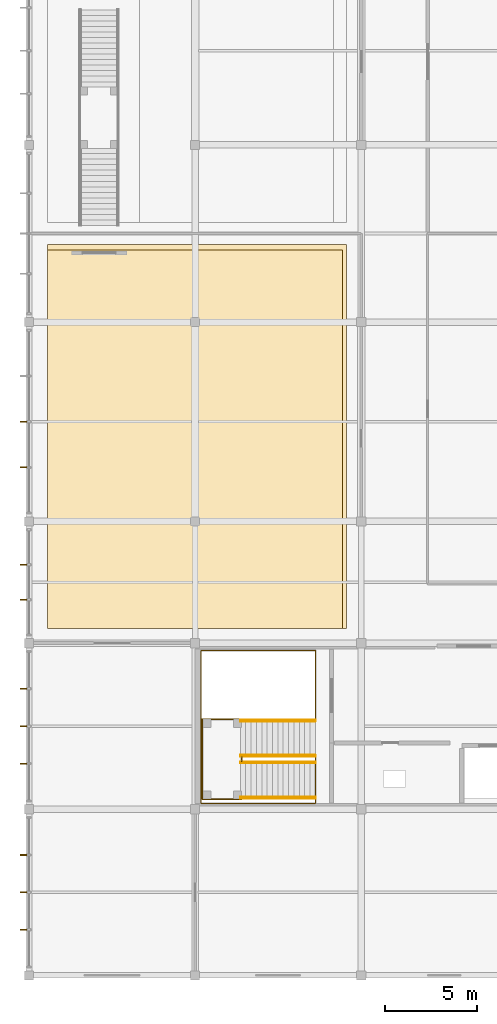
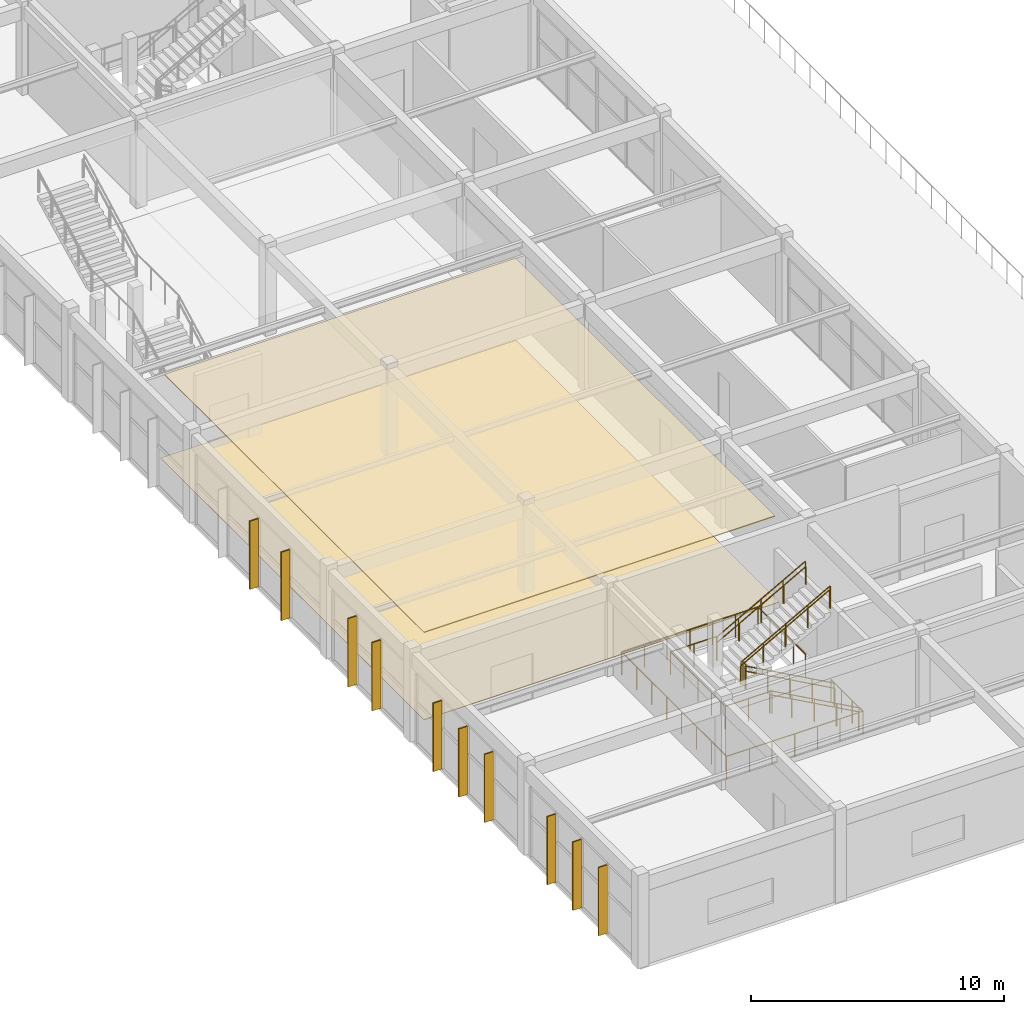
# One storey, part 18 of 22: 11 railings, 10 shading devices, 2 coverings.
"""IFC4 building model written with IfcOpenShell, lengths in metres."""

from ifc_helpers import new_model, si_unit, direction, frame, origin, origin_2d, place, context, subcontext, project, spatial, polyline, rectangle, circle, outline, extrude, material, layer, layer_set, type_object, element, save


model = new_model("IFC4")

# Units and contexts
model_context = context("Model", 3, precision=1e-05, world=origin(), true_north=direction((0.0, 1.0)))
body_context = subcontext(model_context, "Body", "Model", "MODEL_VIEW")
ifc_project = project(units=[si_unit("LENGTHUNIT", "METRE"), si_unit("AREAUNIT", "SQUARE_METRE"), si_unit("VOLUMEUNIT", "CUBIC_METRE"), si_unit("PLANEANGLEUNIT", "RADIAN"), si_unit("MASSUNIT", "GRAM", prefix="KILO")], contexts=[model_context])

# Site, building, storey
site_placement = place(None, origin())
site = spatial("IfcSite", under=ifc_project, at=site_placement, CompositionType="ELEMENT")
building_placement = place(site_placement, origin())
building = spatial("IfcBuilding", under=site, at=building_placement, Name="Suirenkawa Promenade Aquatics Centre", CompositionType="ELEMENT")
storey_placement = place(building_placement, frame((0.0, 0.0, 14.10009765625)))
storey = spatial("IfcBuildingStorey", under=building, at=storey_placement, Name="L03", CompositionType="ELEMENT", Elevation=14.10009765625)

# Coverings
ifc_material_1 = material(Name="Anodised aluminium 6063-T6", Category="aluminium")
ifc_layer_1 = layer(ifc_material_1, 0.044921875, Name="Anodised aluminium 6063-T6", Category="aluminium")
ifc_layer_set_1 = layer_set([ifc_layer_1], Name="Anodised aluminium 6063-T6")
covering_type_1 = type_object("IfcCoveringType", Name="CVT-BAFFLE-CEIL", PredefinedType="CEILING", material=ifc_layer_set_1)
covering_1_placement = place(storey_placement, frame((0.0, 0.0, 4.204833984375)))
element("IfcCovering", 1, at=covering_1_placement, inside=storey, type_object=covering_type_1, Name="Acoustic baffle ceiling CLG-01 CLG-008", PredefinedType="CEILING", context=body_context, shape_type="SweptSolid", body=[
    extrude(outline(polyline([(1.0, 23.0), (17.0, 23.0), (17.0, 43.5), (1.0, 43.5), (1.0, 23.0)])), origin(), (0.0, 0.0, 1.0), 0.045166015625),
])
ifc_material_2 = material(Name="Engineered maple acoustic sports timber", Category="wood")
ifc_layer_2 = layer(ifc_material_2, 0.030029296875, Name="Engineered maple acoustic sports timber", Category="wood")
ifc_layer_set_2 = layer_set([ifc_layer_2], Name="Engineered maple acoustic sports timber")
covering_type_2 = type_object("IfcCoveringType", Name="CVT-SPORTS-MAPLE", PredefinedType="FLOORING", material=ifc_layer_set_2)
covering_2_placement = place(storey_placement, origin())
element("IfcCovering", 2, at=covering_2_placement, inside=storey, type_object=covering_type_2, Name="Floor finish FLR-02 FLR-010", PredefinedType="FLOORING", context=body_context, shape_type="SweptSolid", body=[
    extrude(outline(polyline([(1.0, 23.0), (17.199951171875, 23.0), (17.199951171875, 43.800048828125), (1.0, 43.800048828125), (1.0, 23.0)])), origin(), (0.0, 0.0, 1.0), 0.02978515625),
])

# Railings
ifc_material_3 = material(Name="Marine-grade stainless steel Grade 316L", Category="steel")
railing_type_1 = type_object("IfcRailingType", Name="RLT-GUARD-1120", PredefinedType="GUARDRAIL", material=ifc_material_3)
for number, where, name in (
    (3, (15.514892578125, 15.760009765625, 0.0), "Guardrail GRD-01 RL-0041"),
    (4, (15.514892578125, 13.800048828125, 0.0), "Guardrail GRD-01 RL-0043"),
):
    element("IfcRailing", number, at=place(storey_placement, frame(where)), inside=storey, type_object=railing_type_1, Name=name, PredefinedType="GUARDRAIL", context=body_context, shape_type="SweptSolid", body=[
        extrude(circle(Radius=0.02392578125, at=origin_2d()), frame((0.0, 0.0, 1.09619140625), z_axis=(-0.874655505744, 0.0, 0.484745032229), x_axis=(0.0, -1.0, 0.0)), (0.0, 0.0, 1.0), 4.6416015625),
        extrude(circle(Radius=0.02099609375, at=origin_2d()), origin(), (0.0, 0.0, 1.0), 1.072021484375),
        extrude(circle(Radius=0.02099609375, at=origin_2d()), frame((-1.014892578125, 0.0, 0.5625)), (0.0, 0.0, 1.0), 1.072021484375),
        extrude(circle(Radius=0.02099609375, at=origin_2d()), frame((-2.02978515625, 0.0, 1.125)), (0.0, 0.0, 1.0), 1.072021484375),
        extrude(circle(Radius=0.02099609375, at=origin_2d()), frame((-3.044921875, 0.0, 1.6875)), (0.0, 0.0, 1.0), 1.072021484375),
        extrude(circle(Radius=0.02099609375, at=origin_2d()), frame((-4.059814453125, 0.0, 2.25)), (0.0, 0.0, 1.0), 1.072021484375),
    ])
for number, where, name in (
    (5, (11.455078125, 16.070068359375, 2.25), "Guardrail GRD-01 RL-0045"),
    (6, (11.455078125, 18.030029296875, 2.25), "Guardrail GRD-01 RL-0047"),
):
    element("IfcRailing", number, at=place(storey_placement, frame(where)), inside=storey, type_object=railing_type_1, Name=name, PredefinedType="GUARDRAIL", context=body_context, shape_type="SweptSolid", body=[
        extrude(circle(Radius=0.02392578125, at=origin_2d()), frame((0.0, 0.0, 1.09619140625), z_axis=(0.874655505744, 0.0, 0.484745032229), x_axis=(0.0, 1.0, 0.0)), (0.0, 0.0, 1.0), 4.6416015625),
        extrude(circle(Radius=0.02099609375, at=origin_2d()), origin(), (0.0, 0.0, 1.0), 1.072021484375),
        extrude(circle(Radius=0.02099609375, at=origin_2d()), frame((1.014892578125, 0.0, 0.5625)), (0.0, 0.0, 1.0), 1.072021484375),
        extrude(circle(Radius=0.02099609375, at=origin_2d()), frame((2.02978515625, 0.0, 1.125)), (0.0, 0.0, 1.0), 1.072021484375),
        extrude(circle(Radius=0.02099609375, at=origin_2d()), frame((3.044921875, 0.0, 1.6875)), (0.0, 0.0, 1.0), 1.072021484375),
        extrude(circle(Radius=0.02099609375, at=origin_2d()), frame((4.059814453125, 0.0, 2.25)), (0.0, 0.0, 1.0), 1.072021484375),
    ])
railing_1_placement = place(storey_placement, frame((11.52001953125, 13.75, 2.25)))
element("IfcRailing", 7, at=railing_1_placement, inside=storey, type_object=railing_type_1, Name="Guardrail GRD-01 RL-0049", PredefinedType="GUARDRAIL", context=body_context, shape_type="SweptSolid", body=[
    extrude(circle(Radius=0.02392578125, at=origin_2d()), frame((0.0, 0.0, 1.09619140625), z_axis=(-1.0, 0.0, 0.0), x_axis=(0.0, -1.0, 0.0)), (0.0, 0.0, 1.0), 2.130126953125),
    extrude(circle(Radius=0.02392578125, at=origin_2d()), frame((-2.130126953125, 0.0, 1.09619140625), z_axis=(0.0, 1.0, 0.0), x_axis=(-1.0, 0.0, 0.0)), (0.0, 0.0, 1.0), 4.330078125),
    extrude(circle(Radius=0.02392578125, at=origin_2d()), frame((-2.130126953125, 4.330078125, 1.09619140625), z_axis=(1.0, 0.0, 0.0), x_axis=(0.0, 1.0, 0.0)), (0.0, 0.0, 1.0), 2.130126953125),
    extrude(circle(Radius=0.02099609375, at=origin_2d()), origin(), (0.0, 0.0, 1.0), 1.072021484375),
    extrude(circle(Radius=0.02099609375, at=origin_2d()), frame((-1.06494140625, 0.0, 0.0)), (0.0, 0.0, 1.0), 1.072021484375),
    extrude(circle(Radius=0.02099609375, at=origin_2d()), frame((-2.130126953125, 0.0, 0.0)), (0.0, 0.0, 1.0), 1.072021484375),
    extrude(circle(Radius=0.02099609375, at=origin_2d()), frame((-2.130126953125, 1.08251953125, 0.0)), (0.0, 0.0, 1.0), 1.072021484375),
    extrude(circle(Radius=0.02099609375, at=origin_2d()), frame((-2.130126953125, 2.1650390625, 0.0)), (0.0, 0.0, 1.0), 1.072021484375),
    extrude(circle(Radius=0.02099609375, at=origin_2d()), frame((-2.130126953125, 3.24755859375, 0.0)), (0.0, 0.0, 1.0), 1.072021484375),
    extrude(circle(Radius=0.02099609375, at=origin_2d()), frame((-2.130126953125, 4.330078125, 0.0)), (0.0, 0.0, 1.0), 1.072021484375),
    extrude(circle(Radius=0.02099609375, at=origin_2d()), frame((-1.06494140625, 4.330078125, 0.0)), (0.0, 0.0, 1.0), 1.072021484375),
    extrude(circle(Radius=0.02099609375, at=origin_2d()), frame((0.0, 4.330078125, 0.0)), (0.0, 0.0, 1.0), 1.072021484375),
])
railing_2_placement = place(storey_placement, frame((11.52001953125, 15.7900390625, 2.25)))
element("IfcRailing", 8, at=railing_2_placement, inside=storey, type_object=railing_type_1, Name="Guardrail GRD-01 RL-0050", PredefinedType="GUARDRAIL", context=body_context, shape_type="SweptSolid", body=[
    extrude(circle(Radius=0.02392578125, at=origin_2d()), frame((0.0, 0.0, 1.09619140625), z_axis=(0.0, 1.0, 0.0), x_axis=(-1.0, 0.0, 0.0)), (0.0, 0.0, 1.0), 0.25),
    extrude(circle(Radius=0.02099609375, at=origin_2d()), origin(), (0.0, 0.0, 1.0), 1.072021484375),
    extrude(circle(Radius=0.02099609375, at=origin_2d()), frame((0.0, 0.25, 0.0)), (0.0, 0.0, 1.0), 1.072021484375),
])
railing_3_placement = place(storey_placement, frame((15.530029296875, 18.06005859375, 0.0)))
element("IfcRailing", 9, at=railing_3_placement, inside=storey, type_object=railing_type_1, Name="Guardrail GRD-01 RL-0405", PredefinedType="GUARDRAIL", context=body_context, shape_type="SweptSolid", body=[
    extrude(circle(Radius=0.02392578125, at=origin_2d()), frame((0.0, 0.0, 1.09619140625), z_axis=(0.0, 1.0, 0.0), x_axis=(-1.0, 0.0, 0.0)), (0.0, 0.0, 1.0), 3.739990234375),
    extrude(circle(Radius=0.02392578125, at=origin_2d()), frame((0.0, 3.739990234375, 1.09619140625), z_axis=(-1.0, 0.0, 0.0), x_axis=(0.0, -1.0, 0.0)), (0.0, 0.0, 1.0), 6.2099609375),
    extrude(circle(Radius=0.02392578125, at=origin_2d()), frame((-6.2099609375, 3.739990234375, 1.09619140625), z_axis=(0.0, -1.0, 0.0), x_axis=(1.0, 0.0, 0.0)), (0.0, 0.0, 1.0), 8.280029296875),
    extrude(circle(Radius=0.02392578125, at=origin_2d()), frame((-6.2099609375, -4.5400390625, 1.09619140625), z_axis=(1.0, 0.0, 0.0), x_axis=(0.0, 1.0, 0.0)), (0.0, 0.0, 1.0), 6.2099609375),
    extrude(circle(Radius=0.02392578125, at=origin_2d()), frame((0.0, -4.5400390625, 1.09619140625), z_axis=(0.0, 1.0, 0.0), x_axis=(-1.0, 0.0, 0.0)), (0.0, 0.0, 1.0), 2.52001953125),
    extrude(circle(Radius=0.02099609375, at=origin_2d()), origin(), (0.0, 0.0, 1.0), 1.072021484375),
    extrude(circle(Radius=0.02099609375, at=origin_2d()), frame((0.0, 0.93505859375, 0.0)), (0.0, 0.0, 1.0), 1.072021484375),
    extrude(circle(Radius=0.02099609375, at=origin_2d()), frame((0.0, 1.8701171875, 0.0)), (0.0, 0.0, 1.0), 1.072021484375),
    extrude(circle(Radius=0.02099609375, at=origin_2d()), frame((0.0, 2.804931640625, 0.0)), (0.0, 0.0, 1.0), 1.072021484375),
    extrude(circle(Radius=0.02099609375, at=origin_2d()), frame((0.0, 3.739990234375, 0.0)), (0.0, 0.0, 1.0), 1.072021484375),
    extrude(circle(Radius=0.02099609375, at=origin_2d()), frame((-1.034912109375, 3.739990234375, 0.0)), (0.0, 0.0, 1.0), 1.072021484375),
    extrude(circle(Radius=0.02099609375, at=origin_2d()), frame((-2.070068359375, 3.739990234375, 0.0)), (0.0, 0.0, 1.0), 1.072021484375),
    extrude(circle(Radius=0.02099609375, at=origin_2d()), frame((-3.10498046875, 3.739990234375, 0.0)), (0.0, 0.0, 1.0), 1.072021484375),
    extrude(circle(Radius=0.02099609375, at=origin_2d()), frame((-4.139892578125, 3.739990234375, 0.0)), (0.0, 0.0, 1.0), 1.072021484375),
    extrude(circle(Radius=0.02099609375, at=origin_2d()), frame((-5.175048828125, 3.739990234375, 0.0)), (0.0, 0.0, 1.0), 1.072021484375),
    extrude(circle(Radius=0.02099609375, at=origin_2d()), frame((-6.2099609375, 3.739990234375, 0.0)), (0.0, 0.0, 1.0), 1.072021484375),
    extrude(circle(Radius=0.02099609375, at=origin_2d()), frame((-6.2099609375, 2.55712890625, 0.0)), (0.0, 0.0, 1.0), 1.072021484375),
    extrude(circle(Radius=0.02099609375, at=origin_2d()), frame((-6.2099609375, 1.374267578125, 0.0)), (0.0, 0.0, 1.0), 1.072021484375),
    extrude(circle(Radius=0.02099609375, at=origin_2d()), frame((-6.2099609375, 0.19140625, 0.0)), (0.0, 0.0, 1.0), 1.072021484375),
    extrude(circle(Radius=0.02099609375, at=origin_2d()), frame((-6.2099609375, -0.991455078125, 0.0)), (0.0, 0.0, 1.0), 1.072021484375),
    extrude(circle(Radius=0.02099609375, at=origin_2d()), frame((-6.2099609375, -2.17431640625, 0.0)), (0.0, 0.0, 1.0), 1.072021484375),
    extrude(circle(Radius=0.02099609375, at=origin_2d()), frame((-6.2099609375, -3.357177734375, 0.0)), (0.0, 0.0, 1.0), 1.072021484375),
    extrude(circle(Radius=0.02099609375, at=origin_2d()), frame((-6.2099609375, -4.5400390625, 0.0)), (0.0, 0.0, 1.0), 1.072021484375),
    extrude(circle(Radius=0.02099609375, at=origin_2d()), frame((-5.175048828125, -4.5400390625, 0.0)), (0.0, 0.0, 1.0), 1.072021484375),
    extrude(circle(Radius=0.02099609375, at=origin_2d()), frame((-4.139892578125, -4.5400390625, 0.0)), (0.0, 0.0, 1.0), 1.072021484375),
    extrude(circle(Radius=0.02099609375, at=origin_2d()), frame((-3.10498046875, -4.5400390625, 0.0)), (0.0, 0.0, 1.0), 1.072021484375),
    extrude(circle(Radius=0.02099609375, at=origin_2d()), frame((-2.070068359375, -4.5400390625, 0.0)), (0.0, 0.0, 1.0), 1.072021484375),
    extrude(circle(Radius=0.02099609375, at=origin_2d()), frame((-1.034912109375, -4.5400390625, 0.0)), (0.0, 0.0, 1.0), 1.072021484375),
    extrude(circle(Radius=0.02099609375, at=origin_2d()), frame((0.0, -4.5400390625, 0.0)), (0.0, 0.0, 1.0), 1.072021484375),
    extrude(circle(Radius=0.02099609375, at=origin_2d()), frame((0.0, -3.699951171875, 0.0)), (0.0, 0.0, 1.0), 1.072021484375),
    extrude(circle(Radius=0.02099609375, at=origin_2d()), frame((0.0, -2.860107421875, 0.0)), (0.0, 0.0, 1.0), 1.072021484375),
    extrude(circle(Radius=0.02099609375, at=origin_2d()), frame((0.0, -2.02001953125, 0.0)), (0.0, 0.0, 1.0), 1.072021484375),
])
railing_type_2 = type_object("IfcRailingType", Name="RLT-HANDRAIL-900", PredefinedType="HANDRAIL", material=ifc_material_3)
for number, where, name in (
    (10, (15.514892578125, 15.7099609375, 0.0), "Handrail HRL-01 RL-0042"),
    (11, (15.514892578125, 13.85009765625, 0.0), "Handrail HRL-01 RL-0044"),
):
    element("IfcRailing", number, at=place(storey_placement, frame(where)), inside=storey, type_object=railing_type_2, Name=name, PredefinedType="HANDRAIL", context=body_context, shape_type="SweptSolid", body=[
        extrude(circle(Radius=0.02392578125, at=origin_2d()), frame((0.0, 0.0, 0.8759765625), z_axis=(-0.874655505744, 0.0, 0.484745032229), x_axis=(0.0, -1.0, 0.0)), (0.0, 0.0, 1.0), 4.6416015625),
        extrude(circle(Radius=0.02099609375, at=origin_2d()), origin(), (0.0, 0.0, 1.0), 0.851806640625),
        extrude(circle(Radius=0.02099609375, at=origin_2d()), frame((-1.014892578125, 0.0, 0.5625)), (0.0, 0.0, 1.0), 0.851806640625),
        extrude(circle(Radius=0.02099609375, at=origin_2d()), frame((-2.02978515625, 0.0, 1.125)), (0.0, 0.0, 1.0), 0.851806640625),
        extrude(circle(Radius=0.02099609375, at=origin_2d()), frame((-3.044921875, 0.0, 1.6875)), (0.0, 0.0, 1.0), 0.851806640625),
        extrude(circle(Radius=0.02099609375, at=origin_2d()), frame((-4.059814453125, 0.0, 2.25)), (0.0, 0.0, 1.0), 0.851806640625),
    ])
for number, where, name in (
    (12, (11.455078125, 16.1201171875, 2.25), "Handrail HRL-01 RL-0046"),
    (13, (11.455078125, 17.97998046875, 2.25), "Handrail HRL-01 RL-0048"),
):
    element("IfcRailing", number, at=place(storey_placement, frame(where)), inside=storey, type_object=railing_type_2, Name=name, PredefinedType="HANDRAIL", context=body_context, shape_type="SweptSolid", body=[
        extrude(circle(Radius=0.02392578125, at=origin_2d()), frame((0.0, 0.0, 0.8759765625), z_axis=(0.874655505744, 0.0, 0.484745032229), x_axis=(0.0, 1.0, 0.0)), (0.0, 0.0, 1.0), 4.6416015625),
        extrude(circle(Radius=0.02099609375, at=origin_2d()), origin(), (0.0, 0.0, 1.0), 0.851806640625),
        extrude(circle(Radius=0.02099609375, at=origin_2d()), frame((1.014892578125, 0.0, 0.5625)), (0.0, 0.0, 1.0), 0.851806640625),
        extrude(circle(Radius=0.02099609375, at=origin_2d()), frame((2.02978515625, 0.0, 1.125)), (0.0, 0.0, 1.0), 0.851806640625),
        extrude(circle(Radius=0.02099609375, at=origin_2d()), frame((3.044921875, 0.0, 1.6875)), (0.0, 0.0, 1.0), 0.851806640625),
        extrude(circle(Radius=0.02099609375, at=origin_2d()), frame((4.059814453125, 0.0, 2.25)), (0.0, 0.0, 1.0), 0.851806640625),
    ])

# Shading devices
shading_device_type = type_object("IfcShadingDeviceType", Name="SDT-KOUSHI-400", PredefinedType="USERDEFINED", material=ifc_material_1)
for number, where, z_axis, x_axis, name in (
    (14, (-0.287109375, 6.674560546875, 0.039794921875), (0.0, 0.0, 1.0), (-1.0, 0.0, 0.0), "Vertical solar shading fin FN-01 FIN-0194"),
    (15, (-0.287109375, 8.699951171875, 0.039794921875), (0.0, 0.0, 1.0), (-1.0, 0.0, 0.0), "Vertical solar shading fin FN-01 FIN-0195"),
    (16, (-0.287109375, 10.7255859375, 0.039794921875), (0.0, 0.0, 1.0), (-1.0, 0.0, 0.0), "Vertical solar shading fin FN-01 FIN-0196"),
    (17, (-0.287109375, 15.674560546875, 0.039794921875), (0.0, 0.0, 1.0), (-1.0, 0.0, 0.0), "Vertical solar shading fin FN-01 FIN-0197"),
    (18, (-0.287109375, 17.699951171875, 0.039794921875), (0.0, 0.0, 1.0), (-1.0, 0.0, 0.0), "Vertical solar shading fin FN-01 FIN-0198"),
    (19, (-0.287109375, 19.7255859375, 0.039794921875), (0.0, 0.0, 1.0), (-1.0, 0.0, 0.0), "Vertical solar shading fin FN-01 FIN-0199"),
    (20, (-0.287109375, 24.549560546875, 0.039794921875), (0.0, 0.0, 1.0), (-1.0, 0.0, 0.0), "Vertical solar shading fin FN-01 FIN-0200"),
    (21, (-0.287109375, 26.450439453125, 0.039794921875), (0.0, 0.0, 1.0), (-1.0, 0.0, 0.0), "Vertical solar shading fin FN-01 FIN-0201"),
    (22, (-0.287109375, 31.724609375, 0.039794921875), (0.0, 0.0, 1.0), (-1.0, 0.0, 0.0), "Vertical solar shading fin FN-01 FIN-0202"),
    (23, (-0.287109375, 34.199951171875, 0.039794921875), (0.0, 0.0, 1.0), (-1.0, 0.0, 0.0), "Vertical solar shading fin FN-01 FIN-0203"),
):
    element("IfcShadingDevice", number, at=place(storey_placement, frame(where, z_axis=z_axis, x_axis=x_axis)), inside=storey, type_object=shading_device_type, Name=name, ObjectType="FIN", PredefinedType="USERDEFINED", context=body_context, shape_type="SweptSolid", body=[
        extrude(rectangle(XDim=0.39990234375, YDim=0.06005859375, at=origin_2d()), origin(), (0.0, 0.0, 1.0), 3.2900390625),
    ])

save(model, "model.ifc")
